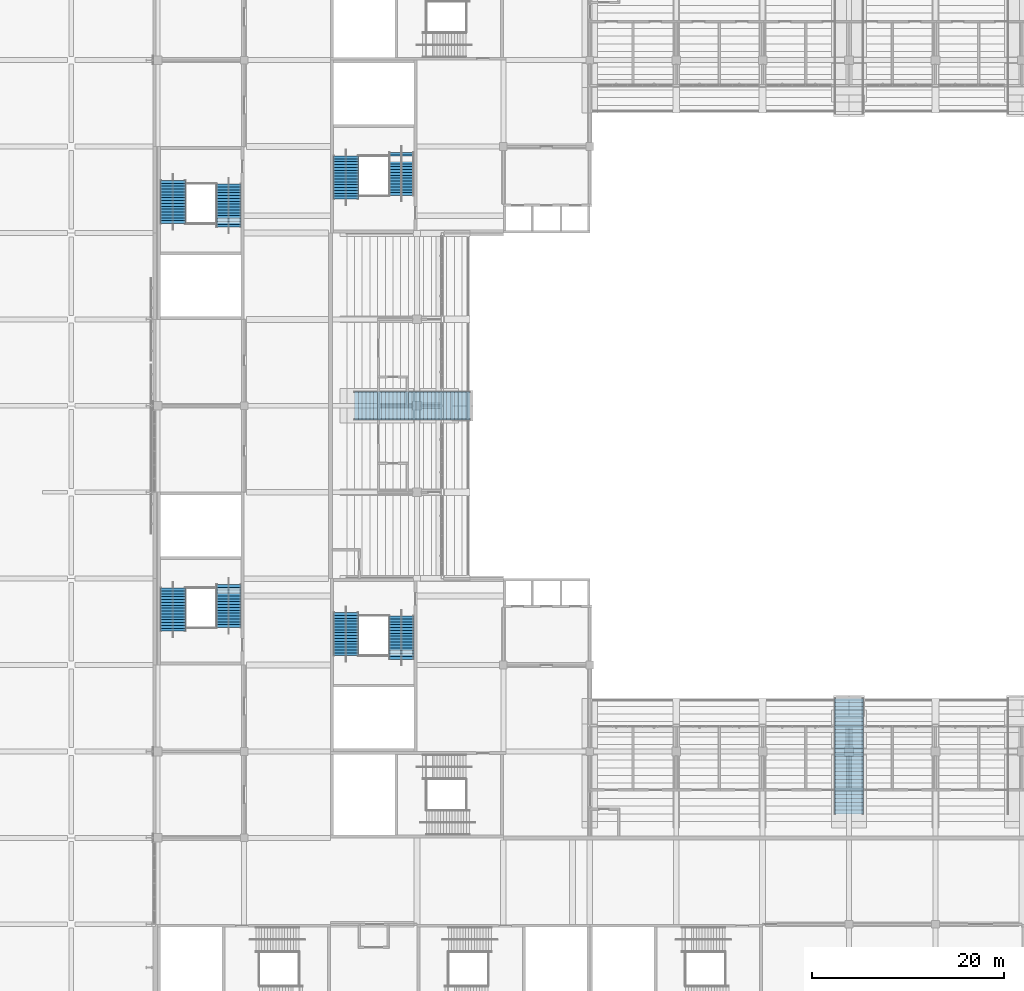
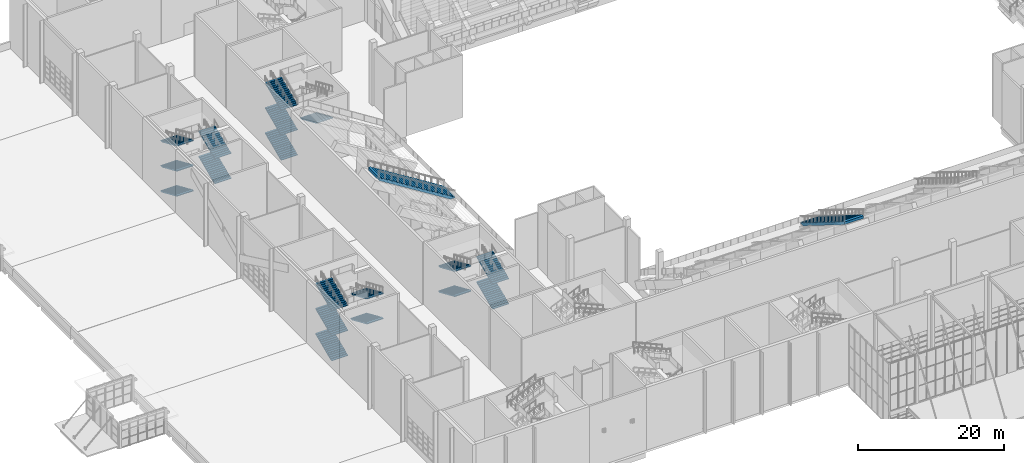
# One storey, part 97 of 182: 20 stair flights, 6 elements without a shape of their own.
"""IFC4 building model written with IfcOpenShell, lengths in metres."""

from ifc_helpers import new_model, si_unit, direction, frame, origin, place, context, subcontext, project, spatial, polyline, outline, extrude, material, type_object, element, aggregate, save


model = new_model("IFC4")

# Units and contexts
model_context = context("Model", 3, precision=1e-05, world=origin(), true_north=direction((0.0, 1.0)))
body_context = subcontext(model_context, "Body", "Model", "MODEL_VIEW")
ifc_project = project(units=[si_unit("LENGTHUNIT", "METRE"), si_unit("AREAUNIT", "SQUARE_METRE"), si_unit("VOLUMEUNIT", "CUBIC_METRE"), si_unit("PLANEANGLEUNIT", "RADIAN"), si_unit("MASSUNIT", "GRAM", prefix="KILO")], contexts=[model_context])

# Site, building, storey
site_placement = place(None, origin())
site = spatial("IfcSite", under=ifc_project, at=site_placement, CompositionType="ELEMENT")
building_placement = place(site_placement, origin())
building = spatial("IfcBuilding", under=site, at=building_placement, Name="Silverbay Arena", CompositionType="ELEMENT")
storey_placement = place(building_placement, frame((0.0, 0.0, 11.5)))
storey = spatial("IfcBuildingStorey", under=building, at=storey_placement, Name="L02", CompositionType="ELEMENT", Elevation=11.5)

# Stair, stair flights
ifc_material_1 = material(Name="Concrete Grade C45", Category="concrete")
stair_type_1 = type_object("IfcStairType", Name="Stair 2600 wide 80 risers 131.2 x 300", PredefinedType="HALF_TURN_STAIR", material=ifc_material_1)
stair_1_placement = place(storey_placement, origin())
stair_1 = element("IfcStair", 1, at=stair_1_placement, inside=storey, type_object=stair_type_1, Name="Stair ST-W1 L02 to L03", PredefinedType="HALF_TURN_STAIR")
ifc_material_2 = material(Name="Concrete Grade C45", Category="concrete")
stair_flight_type_1 = type_object("IfcStairFlightType", Name="Stair flight 2600 wide 16 risers 131.2 x 300", PredefinedType="STRAIGHT", material=ifc_material_2)
stair_flight_1_placement = place(storey_placement, frame((55.60009765625, 57.52587890625, 0.0), z_axis=(0.0, 0.0, 1.0), x_axis=(0.0, 1.0, 0.0)))
stair_flight_1 = element("IfcStairFlight", 2, at=stair_flight_1_placement, type_object=stair_flight_type_1, Name="Stair ST-W1 L02 to L03 flight 1", NumberOfRisers=16, NumberOfTreads=15, PredefinedType="STRAIGHT", RiserHeight=0.13125, TreadLength=0.3, context=body_context, shape_type="SweptSolid", body=[
    extrude(outline(polyline([(0.0, 0.0), (0.0, 0.13134765625), (0.300048828125, 0.13134765625), (0.300048828125, 0.262451171875), (0.60009765625, 0.262451171875), (0.60009765625, 0.393798828125), (0.89990234375, 0.393798828125), (0.89990234375, 0.52490234375), (1.199951171875, 0.52490234375), (1.199951171875, 0.65625), (1.5, 0.65625), (1.5, 0.78759765625), (1.800048828125, 0.78759765625), (1.800048828125, 0.918701171875), (2.10009765625, 0.918701171875), (2.10009765625, 1.050048828125), (2.39990234375, 1.050048828125), (2.39990234375, 1.18115234375), (2.699951171875, 1.18115234375), (2.699951171875, 1.3125), (3.0, 1.3125), (3.0, 1.44384765625), (3.300048828125, 1.44384765625), (3.300048828125, 1.574951171875), (3.60009765625, 1.574951171875), (3.60009765625, 1.706298828125), (3.89990234375, 1.706298828125), (3.89990234375, 1.83740234375), (4.199951171875, 1.83740234375), (4.199951171875, 1.96875), (4.5, 1.96875), (4.5, 1.80517578125), (0.3740234375, 0.0), (0.0, 0.0)])), frame((0.0, 1.300048828125, 0.0), z_axis=(0.0, -1.0, 0.0), x_axis=(1.0, 0.0, 0.0)), (0.0, 0.0, 1.0), 2.60009765625),
])
stair_flight_2_placement = place(storey_placement, frame((61.39990234375, 62.39990234375, 2.10009765625), z_axis=(0.0, 0.0, 1.0), x_axis=(0.0, -1.0, 0.0)))
stair_flight_2 = element("IfcStairFlight", 3, at=stair_flight_2_placement, type_object=stair_flight_type_1, Name="Stair ST-W1 L02 to L03 flight 2", NumberOfRisers=16, NumberOfTreads=15, PredefinedType="STRAIGHT", RiserHeight=0.13125, TreadLength=0.3, context=body_context, shape_type="SweptSolid", body=[
    extrude(outline(polyline([(0.0, 0.0), (0.0, 0.13134765625), (0.300048828125, 0.13134765625), (0.300048828125, 0.262451171875), (0.60009765625, 0.262451171875), (0.60009765625, 0.393798828125), (0.89990234375, 0.393798828125), (0.89990234375, 0.52490234375), (1.199951171875, 0.52490234375), (1.199951171875, 0.65625), (1.5, 0.65625), (1.5, 0.78759765625), (1.800048828125, 0.78759765625), (1.800048828125, 0.918701171875), (2.10009765625, 0.918701171875), (2.10009765625, 1.050048828125), (2.39990234375, 1.050048828125), (2.39990234375, 1.18115234375), (2.699951171875, 1.18115234375), (2.699951171875, 1.3125), (3.0, 1.3125), (3.0, 1.44384765625), (3.300048828125, 1.44384765625), (3.300048828125, 1.574951171875), (3.60009765625, 1.574951171875), (3.60009765625, 1.706298828125), (3.89990234375, 1.706298828125), (3.89990234375, 1.83740234375), (4.199951171875, 1.83740234375), (4.199951171875, 1.96875), (4.5, 1.96875), (4.5, 1.80517578125), (0.3740234375, 0.0), (0.0, 0.0)])), frame((0.0, 1.300048828125, 0.0), z_axis=(0.0, -1.0, 0.0), x_axis=(1.0, 0.0, 0.0)), (0.0, 0.0, 1.0), 2.60009765625),
])
stair_flight_3_placement = place(storey_placement, frame((55.60009765625, 57.52587890625, 4.199951171875), z_axis=(0.0, 0.0, 1.0), x_axis=(0.0, 1.0, 0.0)))
stair_flight_3 = element("IfcStairFlight", 4, at=stair_flight_3_placement, type_object=stair_flight_type_1, Name="Stair ST-W1 L02 to L03 flight 3", NumberOfRisers=16, NumberOfTreads=15, PredefinedType="STRAIGHT", RiserHeight=0.13125, TreadLength=0.3, context=body_context, shape_type="SweptSolid", body=[
    extrude(outline(polyline([(0.0, 0.0), (0.0, 0.13134765625), (0.300048828125, 0.13134765625), (0.300048828125, 0.262451171875), (0.60009765625, 0.262451171875), (0.60009765625, 0.393798828125), (0.89990234375, 0.393798828125), (0.89990234375, 0.52490234375), (1.199951171875, 0.52490234375), (1.199951171875, 0.65625), (1.5, 0.65625), (1.5, 0.78759765625), (1.800048828125, 0.78759765625), (1.800048828125, 0.918701171875), (2.10009765625, 0.918701171875), (2.10009765625, 1.050048828125), (2.39990234375, 1.050048828125), (2.39990234375, 1.18115234375), (2.699951171875, 1.18115234375), (2.699951171875, 1.3125), (3.0, 1.3125), (3.0, 1.44384765625), (3.300048828125, 1.44384765625), (3.300048828125, 1.574951171875), (3.60009765625, 1.574951171875), (3.60009765625, 1.706298828125), (3.89990234375, 1.706298828125), (3.89990234375, 1.83740234375), (4.199951171875, 1.83740234375), (4.199951171875, 1.96875), (4.5, 1.96875), (4.5, 1.80517578125), (0.3740234375, 0.0), (0.0, 0.0)])), frame((0.0, 1.300048828125, 0.0), z_axis=(0.0, -1.0, 0.0), x_axis=(1.0, 0.0, 0.0)), (0.0, 0.0, 1.0), 2.60009765625),
])
stair_flight_4_placement = place(storey_placement, frame((61.39990234375, 62.39990234375, 6.300048828125), z_axis=(0.0, 0.0, 1.0), x_axis=(0.0, -1.0, 0.0)))
stair_flight_4 = element("IfcStairFlight", 5, at=stair_flight_4_placement, type_object=stair_flight_type_1, Name="Stair ST-W1 L02 to L03 flight 4", NumberOfRisers=16, NumberOfTreads=15, PredefinedType="STRAIGHT", RiserHeight=0.13125, TreadLength=0.3, context=body_context, shape_type="SweptSolid", body=[
    extrude(outline(polyline([(0.0, 0.0), (0.0, 0.13134765625), (0.300048828125, 0.13134765625), (0.300048828125, 0.262451171875), (0.60009765625, 0.262451171875), (0.60009765625, 0.393798828125), (0.89990234375, 0.393798828125), (0.89990234375, 0.52490234375), (1.199951171875, 0.52490234375), (1.199951171875, 0.65625), (1.5, 0.65625), (1.5, 0.78759765625), (1.800048828125, 0.78759765625), (1.800048828125, 0.918701171875), (2.10009765625, 0.918701171875), (2.10009765625, 1.050048828125), (2.39990234375, 1.050048828125), (2.39990234375, 1.18115234375), (2.699951171875, 1.18115234375), (2.699951171875, 1.3125), (3.0, 1.3125), (3.0, 1.44384765625), (3.300048828125, 1.44384765625), (3.300048828125, 1.574951171875), (3.60009765625, 1.574951171875), (3.60009765625, 1.706298828125), (3.89990234375, 1.706298828125), (3.89990234375, 1.83740234375), (4.199951171875, 1.83740234375), (4.199951171875, 1.96875), (4.5, 1.96875), (4.5, 1.80517578125), (0.3740234375, 0.0), (0.0, 0.0)])), frame((0.0, 1.300048828125, 0.0), z_axis=(0.0, -1.0, 0.0), x_axis=(1.0, 0.0, 0.0)), (0.0, 0.0, 1.0), 2.60009765625),
])
stair_flight_5_placement = place(storey_placement, frame((55.60009765625, 57.52587890625, 8.39990234375), z_axis=(0.0, 0.0, 1.0), x_axis=(0.0, 1.0, 0.0)))
stair_flight_5 = element("IfcStairFlight", 6, at=stair_flight_5_placement, type_object=stair_flight_type_1, Name="Stair ST-W1 L02 to L03 flight 5", NumberOfRisers=16, NumberOfTreads=15, PredefinedType="STRAIGHT", RiserHeight=0.13125, TreadLength=0.3, context=body_context, shape_type="SweptSolid", body=[
    extrude(outline(polyline([(0.0, 0.0), (0.0, 0.13134765625), (0.300048828125, 0.13134765625), (0.300048828125, 0.262451171875), (0.60009765625, 0.262451171875), (0.60009765625, 0.393798828125), (0.89990234375, 0.393798828125), (0.89990234375, 0.52490234375), (1.199951171875, 0.52490234375), (1.199951171875, 0.65625), (1.5, 0.65625), (1.5, 0.78759765625), (1.800048828125, 0.78759765625), (1.800048828125, 0.918701171875), (2.10009765625, 0.918701171875), (2.10009765625, 1.050048828125), (2.39990234375, 1.050048828125), (2.39990234375, 1.18115234375), (2.699951171875, 1.18115234375), (2.699951171875, 1.3125), (3.0, 1.3125), (3.0, 1.44384765625), (3.300048828125, 1.44384765625), (3.300048828125, 1.574951171875), (3.60009765625, 1.574951171875), (3.60009765625, 1.706298828125), (3.89990234375, 1.706298828125), (3.89990234375, 1.83740234375), (4.199951171875, 1.83740234375), (4.199951171875, 1.96875), (4.5, 1.96875), (4.5, 1.80517578125), (0.3740234375, 0.0), (0.0, 0.0)])), frame((0.0, 1.300048828125, 0.0), z_axis=(0.0, -1.0, 0.0), x_axis=(1.0, 0.0, 0.0)), (0.0, 0.0, 1.0), 2.60009765625),
])
aggregate(stair_1, [stair_flight_1, stair_flight_2, stair_flight_3, stair_flight_4, stair_flight_5])

stair_2_placement = place(storey_placement, origin())
stair_2 = element("IfcStair", 7, at=stair_2_placement, inside=storey, type_object=stair_type_1, Name="Stair ST-W2 L02 to L03", PredefinedType="HALF_TURN_STAIR")
stair_flight_6_placement = place(storey_placement, frame((55.60009765625, 104.47412109375, 0.0), z_axis=(0.0, 0.0, 1.0), x_axis=(0.0, -1.0, 0.0)))
stair_flight_6 = element("IfcStairFlight", 8, at=stair_flight_6_placement, type_object=stair_flight_type_1, Name="Stair ST-W2 L02 to L03 flight 1", NumberOfRisers=16, NumberOfTreads=15, PredefinedType="STRAIGHT", RiserHeight=0.13125, TreadLength=0.3, context=body_context, shape_type="SweptSolid", body=[
    extrude(outline(polyline([(0.0, 0.0), (0.0, 0.13134765625), (0.300048828125, 0.13134765625), (0.300048828125, 0.262451171875), (0.60009765625, 0.262451171875), (0.60009765625, 0.393798828125), (0.89990234375, 0.393798828125), (0.89990234375, 0.52490234375), (1.199951171875, 0.52490234375), (1.199951171875, 0.65625), (1.5, 0.65625), (1.5, 0.78759765625), (1.800048828125, 0.78759765625), (1.800048828125, 0.918701171875), (2.10009765625, 0.918701171875), (2.10009765625, 1.050048828125), (2.39990234375, 1.050048828125), (2.39990234375, 1.18115234375), (2.699951171875, 1.18115234375), (2.699951171875, 1.3125), (3.0, 1.3125), (3.0, 1.44384765625), (3.300048828125, 1.44384765625), (3.300048828125, 1.574951171875), (3.60009765625, 1.574951171875), (3.60009765625, 1.706298828125), (3.89990234375, 1.706298828125), (3.89990234375, 1.83740234375), (4.199951171875, 1.83740234375), (4.199951171875, 1.96875), (4.5, 1.96875), (4.5, 1.80517578125), (0.3740234375, 0.0), (0.0, 0.0)])), frame((0.0, 1.300048828125, 0.0), z_axis=(0.0, -1.0, 0.0), x_axis=(1.0, 0.0, 0.0)), (0.0, 0.0, 1.0), 2.60009765625),
])
stair_flight_7_placement = place(storey_placement, frame((61.39990234375, 99.60009765625, 2.10009765625), z_axis=(0.0, 0.0, 1.0), x_axis=(0.0, 1.0, 0.0)))
stair_flight_7 = element("IfcStairFlight", 9, at=stair_flight_7_placement, type_object=stair_flight_type_1, Name="Stair ST-W2 L02 to L03 flight 2", NumberOfRisers=16, NumberOfTreads=15, PredefinedType="STRAIGHT", RiserHeight=0.13125, TreadLength=0.3, context=body_context, shape_type="SweptSolid", body=[
    extrude(outline(polyline([(0.0, 0.0), (0.0, 0.13134765625), (0.300048828125, 0.13134765625), (0.300048828125, 0.262451171875), (0.60009765625, 0.262451171875), (0.60009765625, 0.393798828125), (0.89990234375, 0.393798828125), (0.89990234375, 0.52490234375), (1.199951171875, 0.52490234375), (1.199951171875, 0.65625), (1.5, 0.65625), (1.5, 0.78759765625), (1.800048828125, 0.78759765625), (1.800048828125, 0.918701171875), (2.10009765625, 0.918701171875), (2.10009765625, 1.050048828125), (2.39990234375, 1.050048828125), (2.39990234375, 1.18115234375), (2.699951171875, 1.18115234375), (2.699951171875, 1.3125), (3.0, 1.3125), (3.0, 1.44384765625), (3.300048828125, 1.44384765625), (3.300048828125, 1.574951171875), (3.60009765625, 1.574951171875), (3.60009765625, 1.706298828125), (3.89990234375, 1.706298828125), (3.89990234375, 1.83740234375), (4.199951171875, 1.83740234375), (4.199951171875, 1.96875), (4.5, 1.96875), (4.5, 1.80517578125), (0.3740234375, 0.0), (0.0, 0.0)])), frame((0.0, 1.300048828125, 0.0), z_axis=(0.0, -1.0, 0.0), x_axis=(1.0, 0.0, 0.0)), (0.0, 0.0, 1.0), 2.60009765625),
])
stair_flight_8_placement = place(storey_placement, frame((55.60009765625, 104.47412109375, 4.199951171875), z_axis=(0.0, 0.0, 1.0), x_axis=(0.0, -1.0, 0.0)))
stair_flight_8 = element("IfcStairFlight", 10, at=stair_flight_8_placement, type_object=stair_flight_type_1, Name="Stair ST-W2 L02 to L03 flight 3", NumberOfRisers=16, NumberOfTreads=15, PredefinedType="STRAIGHT", RiserHeight=0.13125, TreadLength=0.3, context=body_context, shape_type="SweptSolid", body=[
    extrude(outline(polyline([(0.0, 0.0), (0.0, 0.13134765625), (0.300048828125, 0.13134765625), (0.300048828125, 0.262451171875), (0.60009765625, 0.262451171875), (0.60009765625, 0.393798828125), (0.89990234375, 0.393798828125), (0.89990234375, 0.52490234375), (1.199951171875, 0.52490234375), (1.199951171875, 0.65625), (1.5, 0.65625), (1.5, 0.78759765625), (1.800048828125, 0.78759765625), (1.800048828125, 0.918701171875), (2.10009765625, 0.918701171875), (2.10009765625, 1.050048828125), (2.39990234375, 1.050048828125), (2.39990234375, 1.18115234375), (2.699951171875, 1.18115234375), (2.699951171875, 1.3125), (3.0, 1.3125), (3.0, 1.44384765625), (3.300048828125, 1.44384765625), (3.300048828125, 1.574951171875), (3.60009765625, 1.574951171875), (3.60009765625, 1.706298828125), (3.89990234375, 1.706298828125), (3.89990234375, 1.83740234375), (4.199951171875, 1.83740234375), (4.199951171875, 1.96875), (4.5, 1.96875), (4.5, 1.80517578125), (0.3740234375, 0.0), (0.0, 0.0)])), frame((0.0, 1.300048828125, 0.0), z_axis=(0.0, -1.0, 0.0), x_axis=(1.0, 0.0, 0.0)), (0.0, 0.0, 1.0), 2.60009765625),
])
stair_flight_9_placement = place(storey_placement, frame((61.39990234375, 99.60009765625, 6.300048828125), z_axis=(0.0, 0.0, 1.0), x_axis=(0.0, 1.0, 0.0)))
stair_flight_9 = element("IfcStairFlight", 11, at=stair_flight_9_placement, type_object=stair_flight_type_1, Name="Stair ST-W2 L02 to L03 flight 4", NumberOfRisers=16, NumberOfTreads=15, PredefinedType="STRAIGHT", RiserHeight=0.13125, TreadLength=0.3, context=body_context, shape_type="SweptSolid", body=[
    extrude(outline(polyline([(0.0, 0.0), (0.0, 0.13134765625), (0.300048828125, 0.13134765625), (0.300048828125, 0.262451171875), (0.60009765625, 0.262451171875), (0.60009765625, 0.393798828125), (0.89990234375, 0.393798828125), (0.89990234375, 0.52490234375), (1.199951171875, 0.52490234375), (1.199951171875, 0.65625), (1.5, 0.65625), (1.5, 0.78759765625), (1.800048828125, 0.78759765625), (1.800048828125, 0.918701171875), (2.10009765625, 0.918701171875), (2.10009765625, 1.050048828125), (2.39990234375, 1.050048828125), (2.39990234375, 1.18115234375), (2.699951171875, 1.18115234375), (2.699951171875, 1.3125), (3.0, 1.3125), (3.0, 1.44384765625), (3.300048828125, 1.44384765625), (3.300048828125, 1.574951171875), (3.60009765625, 1.574951171875), (3.60009765625, 1.706298828125), (3.89990234375, 1.706298828125), (3.89990234375, 1.83740234375), (4.199951171875, 1.83740234375), (4.199951171875, 1.96875), (4.5, 1.96875), (4.5, 1.80517578125), (0.3740234375, 0.0), (0.0, 0.0)])), frame((0.0, 1.300048828125, 0.0), z_axis=(0.0, -1.0, 0.0), x_axis=(1.0, 0.0, 0.0)), (0.0, 0.0, 1.0), 2.60009765625),
])
stair_flight_10_placement = place(storey_placement, frame((55.60009765625, 104.47412109375, 8.39990234375), z_axis=(0.0, 0.0, 1.0), x_axis=(0.0, -1.0, 0.0)))
stair_flight_10 = element("IfcStairFlight", 12, at=stair_flight_10_placement, type_object=stair_flight_type_1, Name="Stair ST-W2 L02 to L03 flight 5", NumberOfRisers=16, NumberOfTreads=15, PredefinedType="STRAIGHT", RiserHeight=0.13125, TreadLength=0.3, context=body_context, shape_type="SweptSolid", body=[
    extrude(outline(polyline([(0.0, 0.0), (0.0, 0.13134765625), (0.300048828125, 0.13134765625), (0.300048828125, 0.262451171875), (0.60009765625, 0.262451171875), (0.60009765625, 0.393798828125), (0.89990234375, 0.393798828125), (0.89990234375, 0.52490234375), (1.199951171875, 0.52490234375), (1.199951171875, 0.65625), (1.5, 0.65625), (1.5, 0.78759765625), (1.800048828125, 0.78759765625), (1.800048828125, 0.918701171875), (2.10009765625, 0.918701171875), (2.10009765625, 1.050048828125), (2.39990234375, 1.050048828125), (2.39990234375, 1.18115234375), (2.699951171875, 1.18115234375), (2.699951171875, 1.3125), (3.0, 1.3125), (3.0, 1.44384765625), (3.300048828125, 1.44384765625), (3.300048828125, 1.574951171875), (3.60009765625, 1.574951171875), (3.60009765625, 1.706298828125), (3.89990234375, 1.706298828125), (3.89990234375, 1.83740234375), (4.199951171875, 1.83740234375), (4.199951171875, 1.96875), (4.5, 1.96875), (4.5, 1.80517578125), (0.3740234375, 0.0), (0.0, 0.0)])), frame((0.0, 1.300048828125, 0.0), z_axis=(0.0, -1.0, 0.0), x_axis=(1.0, 0.0, 0.0)), (0.0, 0.0, 1.0), 2.60009765625),
])
aggregate(stair_2, [stair_flight_6, stair_flight_7, stair_flight_8, stair_flight_9, stair_flight_10])

stair_3_placement = place(storey_placement, origin())
stair_3 = element("IfcStair", 13, at=stair_3_placement, inside=storey, type_object=stair_type_1, Name="Stair ST-SW2 L02 to L03", PredefinedType="HALF_TURN_STAIR")
stair_flight_11_placement = place(storey_placement, frame((79.39990234375, 54.60009765625, 2.10009765625), z_axis=(0.0, 0.0, 1.0), x_axis=(0.0, 1.0, 0.0)))
stair_flight_11 = element("IfcStairFlight", 14, at=stair_flight_11_placement, type_object=stair_flight_type_1, Name="Stair ST-SW2 L02 to L03 flight 2", NumberOfRisers=16, NumberOfTreads=15, PredefinedType="STRAIGHT", RiserHeight=0.13125, TreadLength=0.3, context=body_context, shape_type="SweptSolid", body=[
    extrude(outline(polyline([(0.0, 0.0), (0.0, 0.13134765625), (0.300048828125, 0.13134765625), (0.300048828125, 0.262451171875), (0.60009765625, 0.262451171875), (0.60009765625, 0.393798828125), (0.89990234375, 0.393798828125), (0.89990234375, 0.52490234375), (1.199951171875, 0.52490234375), (1.199951171875, 0.65625), (1.5, 0.65625), (1.5, 0.78759765625), (1.800048828125, 0.78759765625), (1.800048828125, 0.918701171875), (2.10009765625, 0.918701171875), (2.10009765625, 1.050048828125), (2.39990234375, 1.050048828125), (2.39990234375, 1.18115234375), (2.699951171875, 1.18115234375), (2.699951171875, 1.3125), (3.0, 1.3125), (3.0, 1.44384765625), (3.300048828125, 1.44384765625), (3.300048828125, 1.574951171875), (3.60009765625, 1.574951171875), (3.60009765625, 1.706298828125), (3.89990234375, 1.706298828125), (3.89990234375, 1.83740234375), (4.199951171875, 1.83740234375), (4.199951171875, 1.96875), (4.5, 1.96875), (4.5, 1.80517578125), (0.3740234375, 0.0), (0.0, 0.0)])), frame((0.0, 1.300048828125, 0.0), z_axis=(0.0, -1.0, 0.0), x_axis=(1.0, 0.0, 0.0)), (0.0, 0.0, 1.0), 2.60009765625),
])
stair_flight_12_placement = place(storey_placement, frame((73.60009765625, 59.47412109375, 4.199951171875), z_axis=(0.0, 0.0, 1.0), x_axis=(0.0, -1.0, 0.0)))
stair_flight_12 = element("IfcStairFlight", 15, at=stair_flight_12_placement, type_object=stair_flight_type_1, Name="Stair ST-SW2 L02 to L03 flight 3", NumberOfRisers=16, NumberOfTreads=15, PredefinedType="STRAIGHT", RiserHeight=0.13125, TreadLength=0.3, context=body_context, shape_type="SweptSolid", body=[
    extrude(outline(polyline([(0.0, 0.0), (0.0, 0.13134765625), (0.300048828125, 0.13134765625), (0.300048828125, 0.262451171875), (0.60009765625, 0.262451171875), (0.60009765625, 0.393798828125), (0.89990234375, 0.393798828125), (0.89990234375, 0.52490234375), (1.199951171875, 0.52490234375), (1.199951171875, 0.65625), (1.5, 0.65625), (1.5, 0.78759765625), (1.800048828125, 0.78759765625), (1.800048828125, 0.918701171875), (2.10009765625, 0.918701171875), (2.10009765625, 1.050048828125), (2.39990234375, 1.050048828125), (2.39990234375, 1.18115234375), (2.699951171875, 1.18115234375), (2.699951171875, 1.3125), (3.0, 1.3125), (3.0, 1.44384765625), (3.300048828125, 1.44384765625), (3.300048828125, 1.574951171875), (3.60009765625, 1.574951171875), (3.60009765625, 1.706298828125), (3.89990234375, 1.706298828125), (3.89990234375, 1.83740234375), (4.199951171875, 1.83740234375), (4.199951171875, 1.96875), (4.5, 1.96875), (4.5, 1.80517578125), (0.3740234375, 0.0), (0.0, 0.0)])), frame((0.0, 1.300048828125, 0.0), z_axis=(0.0, -1.0, 0.0), x_axis=(1.0, 0.0, 0.0)), (0.0, 0.0, 1.0), 2.60009765625),
])
stair_flight_13_placement = place(storey_placement, frame((79.39990234375, 54.60009765625, 6.300048828125), z_axis=(0.0, 0.0, 1.0), x_axis=(0.0, 1.0, 0.0)))
stair_flight_13 = element("IfcStairFlight", 16, at=stair_flight_13_placement, type_object=stair_flight_type_1, Name="Stair ST-SW2 L02 to L03 flight 4", NumberOfRisers=16, NumberOfTreads=15, PredefinedType="STRAIGHT", RiserHeight=0.13125, TreadLength=0.3, context=body_context, shape_type="SweptSolid", body=[
    extrude(outline(polyline([(0.0, 0.0), (0.0, 0.13134765625), (0.300048828125, 0.13134765625), (0.300048828125, 0.262451171875), (0.60009765625, 0.262451171875), (0.60009765625, 0.393798828125), (0.89990234375, 0.393798828125), (0.89990234375, 0.52490234375), (1.199951171875, 0.52490234375), (1.199951171875, 0.65625), (1.5, 0.65625), (1.5, 0.78759765625), (1.800048828125, 0.78759765625), (1.800048828125, 0.918701171875), (2.10009765625, 0.918701171875), (2.10009765625, 1.050048828125), (2.39990234375, 1.050048828125), (2.39990234375, 1.18115234375), (2.699951171875, 1.18115234375), (2.699951171875, 1.3125), (3.0, 1.3125), (3.0, 1.44384765625), (3.300048828125, 1.44384765625), (3.300048828125, 1.574951171875), (3.60009765625, 1.574951171875), (3.60009765625, 1.706298828125), (3.89990234375, 1.706298828125), (3.89990234375, 1.83740234375), (4.199951171875, 1.83740234375), (4.199951171875, 1.96875), (4.5, 1.96875), (4.5, 1.80517578125), (0.3740234375, 0.0), (0.0, 0.0)])), frame((0.0, 1.300048828125, 0.0), z_axis=(0.0, -1.0, 0.0), x_axis=(1.0, 0.0, 0.0)), (0.0, 0.0, 1.0), 2.60009765625),
])
stair_flight_14_placement = place(storey_placement, frame((73.60009765625, 59.47412109375, 8.39990234375), z_axis=(0.0, 0.0, 1.0), x_axis=(0.0, -1.0, 0.0)))
stair_flight_14 = element("IfcStairFlight", 17, at=stair_flight_14_placement, type_object=stair_flight_type_1, Name="Stair ST-SW2 L02 to L03 flight 5", NumberOfRisers=16, NumberOfTreads=15, PredefinedType="STRAIGHT", RiserHeight=0.13125, TreadLength=0.3, context=body_context, shape_type="SweptSolid", body=[
    extrude(outline(polyline([(0.0, 0.0), (0.0, 0.13134765625), (0.300048828125, 0.13134765625), (0.300048828125, 0.262451171875), (0.60009765625, 0.262451171875), (0.60009765625, 0.393798828125), (0.89990234375, 0.393798828125), (0.89990234375, 0.52490234375), (1.199951171875, 0.52490234375), (1.199951171875, 0.65625), (1.5, 0.65625), (1.5, 0.78759765625), (1.800048828125, 0.78759765625), (1.800048828125, 0.918701171875), (2.10009765625, 0.918701171875), (2.10009765625, 1.050048828125), (2.39990234375, 1.050048828125), (2.39990234375, 1.18115234375), (2.699951171875, 1.18115234375), (2.699951171875, 1.3125), (3.0, 1.3125), (3.0, 1.44384765625), (3.300048828125, 1.44384765625), (3.300048828125, 1.574951171875), (3.60009765625, 1.574951171875), (3.60009765625, 1.706298828125), (3.89990234375, 1.706298828125), (3.89990234375, 1.83740234375), (4.199951171875, 1.83740234375), (4.199951171875, 1.96875), (4.5, 1.96875), (4.5, 1.80517578125), (0.3740234375, 0.0), (0.0, 0.0)])), frame((0.0, 1.300048828125, 0.0), z_axis=(0.0, -1.0, 0.0), x_axis=(1.0, 0.0, 0.0)), (0.0, 0.0, 1.0), 2.60009765625),
])
aggregate(stair_3, [stair_flight_11, stair_flight_12, stair_flight_13, stair_flight_14])

stair_4_placement = place(storey_placement, origin())
stair_4 = element("IfcStair", 18, at=stair_4_placement, inside=storey, type_object=stair_type_1, Name="Stair ST-NW2 L02 to L03", PredefinedType="HALF_TURN_STAIR")
stair_flight_15_placement = place(storey_placement, frame((73.60009765625, 102.52587890625, 0.0), z_axis=(0.0, 0.0, 1.0), x_axis=(0.0, 1.0, 0.0)))
stair_flight_15 = element("IfcStairFlight", 19, at=stair_flight_15_placement, type_object=stair_flight_type_1, Name="Stair ST-NW2 L02 to L03 flight 1", NumberOfRisers=16, NumberOfTreads=15, PredefinedType="STRAIGHT", RiserHeight=0.13125, TreadLength=0.3, context=body_context, shape_type="SweptSolid", body=[
    extrude(outline(polyline([(0.0, 0.0), (0.0, 0.13134765625), (0.300048828125, 0.13134765625), (0.300048828125, 0.262451171875), (0.60009765625, 0.262451171875), (0.60009765625, 0.393798828125), (0.89990234375, 0.393798828125), (0.89990234375, 0.52490234375), (1.199951171875, 0.52490234375), (1.199951171875, 0.65625), (1.5, 0.65625), (1.5, 0.78759765625), (1.800048828125, 0.78759765625), (1.800048828125, 0.918701171875), (2.10009765625, 0.918701171875), (2.10009765625, 1.050048828125), (2.39990234375, 1.050048828125), (2.39990234375, 1.18115234375), (2.699951171875, 1.18115234375), (2.699951171875, 1.3125), (3.0, 1.3125), (3.0, 1.44384765625), (3.300048828125, 1.44384765625), (3.300048828125, 1.574951171875), (3.60009765625, 1.574951171875), (3.60009765625, 1.706298828125), (3.89990234375, 1.706298828125), (3.89990234375, 1.83740234375), (4.199951171875, 1.83740234375), (4.199951171875, 1.96875), (4.5, 1.96875), (4.5, 1.80517578125), (0.3740234375, 0.0), (0.0, 0.0)])), frame((0.0, 1.300048828125, 0.0), z_axis=(0.0, -1.0, 0.0), x_axis=(1.0, 0.0, 0.0)), (0.0, 0.0, 1.0), 2.60009765625),
])
stair_flight_16_placement = place(storey_placement, frame((79.39990234375, 107.39990234375, 2.10009765625), z_axis=(0.0, 0.0, 1.0), x_axis=(0.0, -1.0, 0.0)))
stair_flight_16 = element("IfcStairFlight", 20, at=stair_flight_16_placement, type_object=stair_flight_type_1, Name="Stair ST-NW2 L02 to L03 flight 2", NumberOfRisers=16, NumberOfTreads=15, PredefinedType="STRAIGHT", RiserHeight=0.13125, TreadLength=0.3, context=body_context, shape_type="SweptSolid", body=[
    extrude(outline(polyline([(0.0, 0.0), (0.0, 0.13134765625), (0.300048828125, 0.13134765625), (0.300048828125, 0.262451171875), (0.60009765625, 0.262451171875), (0.60009765625, 0.393798828125), (0.89990234375, 0.393798828125), (0.89990234375, 0.52490234375), (1.199951171875, 0.52490234375), (1.199951171875, 0.65625), (1.5, 0.65625), (1.5, 0.78759765625), (1.800048828125, 0.78759765625), (1.800048828125, 0.918701171875), (2.10009765625, 0.918701171875), (2.10009765625, 1.050048828125), (2.39990234375, 1.050048828125), (2.39990234375, 1.18115234375), (2.699951171875, 1.18115234375), (2.699951171875, 1.3125), (3.0, 1.3125), (3.0, 1.44384765625), (3.300048828125, 1.44384765625), (3.300048828125, 1.574951171875), (3.60009765625, 1.574951171875), (3.60009765625, 1.706298828125), (3.89990234375, 1.706298828125), (3.89990234375, 1.83740234375), (4.199951171875, 1.83740234375), (4.199951171875, 1.96875), (4.5, 1.96875), (4.5, 1.80517578125), (0.3740234375, 0.0), (0.0, 0.0)])), frame((0.0, 1.300048828125, 0.0), z_axis=(0.0, -1.0, 0.0), x_axis=(1.0, 0.0, 0.0)), (0.0, 0.0, 1.0), 2.60009765625),
])
stair_flight_17_placement = place(storey_placement, frame((73.60009765625, 102.52587890625, 4.199951171875), z_axis=(0.0, 0.0, 1.0), x_axis=(0.0, 1.0, 0.0)))
stair_flight_17 = element("IfcStairFlight", 21, at=stair_flight_17_placement, type_object=stair_flight_type_1, Name="Stair ST-NW2 L02 to L03 flight 3", NumberOfRisers=16, NumberOfTreads=15, PredefinedType="STRAIGHT", RiserHeight=0.13125, TreadLength=0.3, context=body_context, shape_type="SweptSolid", body=[
    extrude(outline(polyline([(0.0, 0.0), (0.0, 0.13134765625), (0.300048828125, 0.13134765625), (0.300048828125, 0.262451171875), (0.60009765625, 0.262451171875), (0.60009765625, 0.393798828125), (0.89990234375, 0.393798828125), (0.89990234375, 0.52490234375), (1.199951171875, 0.52490234375), (1.199951171875, 0.65625), (1.5, 0.65625), (1.5, 0.78759765625), (1.800048828125, 0.78759765625), (1.800048828125, 0.918701171875), (2.10009765625, 0.918701171875), (2.10009765625, 1.050048828125), (2.39990234375, 1.050048828125), (2.39990234375, 1.18115234375), (2.699951171875, 1.18115234375), (2.699951171875, 1.3125), (3.0, 1.3125), (3.0, 1.44384765625), (3.300048828125, 1.44384765625), (3.300048828125, 1.574951171875), (3.60009765625, 1.574951171875), (3.60009765625, 1.706298828125), (3.89990234375, 1.706298828125), (3.89990234375, 1.83740234375), (4.199951171875, 1.83740234375), (4.199951171875, 1.96875), (4.5, 1.96875), (4.5, 1.80517578125), (0.3740234375, 0.0), (0.0, 0.0)])), frame((0.0, 1.300048828125, 0.0), z_axis=(0.0, -1.0, 0.0), x_axis=(1.0, 0.0, 0.0)), (0.0, 0.0, 1.0), 2.60009765625),
])
stair_flight_18_placement = place(storey_placement, frame((73.60009765625, 102.52587890625, 8.39990234375), z_axis=(0.0, 0.0, 1.0), x_axis=(0.0, 1.0, 0.0)))
stair_flight_18 = element("IfcStairFlight", 22, at=stair_flight_18_placement, type_object=stair_flight_type_1, Name="Stair ST-NW2 L02 to L03 flight 5", NumberOfRisers=16, NumberOfTreads=15, PredefinedType="STRAIGHT", RiserHeight=0.13125, TreadLength=0.3, context=body_context, shape_type="SweptSolid", body=[
    extrude(outline(polyline([(0.0, 0.0), (0.0, 0.13134765625), (0.300048828125, 0.13134765625), (0.300048828125, 0.262451171875), (0.60009765625, 0.262451171875), (0.60009765625, 0.393798828125), (0.89990234375, 0.393798828125), (0.89990234375, 0.52490234375), (1.199951171875, 0.52490234375), (1.199951171875, 0.65625), (1.5, 0.65625), (1.5, 0.78759765625), (1.800048828125, 0.78759765625), (1.800048828125, 0.918701171875), (2.10009765625, 0.918701171875), (2.10009765625, 1.050048828125), (2.39990234375, 1.050048828125), (2.39990234375, 1.18115234375), (2.699951171875, 1.18115234375), (2.699951171875, 1.3125), (3.0, 1.3125), (3.0, 1.44384765625), (3.300048828125, 1.44384765625), (3.300048828125, 1.574951171875), (3.60009765625, 1.574951171875), (3.60009765625, 1.706298828125), (3.89990234375, 1.706298828125), (3.89990234375, 1.83740234375), (4.199951171875, 1.83740234375), (4.199951171875, 1.96875), (4.5, 1.96875), (4.5, 1.80517578125), (0.3740234375, 0.0), (0.0, 0.0)])), frame((0.0, 1.300048828125, 0.0), z_axis=(0.0, -1.0, 0.0), x_axis=(1.0, 0.0, 0.0)), (0.0, 0.0, 1.0), 2.60009765625),
])
aggregate(stair_4, [stair_flight_15, stair_flight_16, stair_flight_17, stair_flight_18])

# Stair, stair flight
ifc_material_3 = material(Name="Concrete Grade C45", Category="concrete")
stair_type_2 = type_object("IfcStairType", Name="Vomitory stair 3000 wide 31 risers 250 x 400", PredefinedType="STRAIGHT_RUN_STAIR", material=ifc_material_3)
stair_5_placement = place(storey_placement, origin())
stair_5 = element("IfcStair", 23, at=stair_5_placement, inside=storey, type_object=stair_type_2, Name="Vomitory stair V03", PredefinedType="STRAIGHT_RUN_STAIR")
ifc_material_4 = material(Name="Concrete Grade C45", Category="concrete")
stair_flight_type_2 = type_object("IfcStairFlightType", Name="Vomitory stair flight 3000 wide 31 risers 250 x 400", PredefinedType="STRAIGHT", material=ifc_material_4)
stair_flight_19_placement = place(storey_placement, frame((126.0, 50.5, 2.75), z_axis=(0.0, 0.0, 1.0), x_axis=(0.0, -1.0, 0.0)))
stair_flight_19 = element("IfcStairFlight", 24, at=stair_flight_19_placement, type_object=stair_flight_type_2, Name="Vomitory stair V03 flight", NumberOfRisers=31, NumberOfTreads=30, PredefinedType="STRAIGHT", RiserHeight=0.25, TreadLength=0.4, context=body_context, shape_type="SweptSolid", body=[
    extrude(outline(polyline([(0.0, 0.0), (0.0, 0.25), (0.39990234375, 0.25), (0.39990234375, 0.5), (0.800048828125, 0.5), (0.800048828125, 0.75), (1.199951171875, 0.75), (1.199951171875, 1.0), (1.60009765625, 1.0), (1.60009765625, 1.25), (2.0, 1.25), (2.0, 1.5), (2.39990234375, 1.5), (2.39990234375, 1.75), (2.800048828125, 1.75), (2.800048828125, 2.0), (3.199951171875, 2.0), (3.199951171875, 2.25), (3.60009765625, 2.25), (3.60009765625, 2.5), (4.0, 2.5), (4.0, 2.75), (4.39990234375, 2.75), (4.39990234375, 3.0), (4.800048828125, 3.0), (4.800048828125, 3.25), (5.199951171875, 3.25), (5.199951171875, 3.5), (5.60009765625, 3.5), (5.60009765625, 3.75), (6.0, 3.75), (6.0, 4.0), (6.39990234375, 4.0), (6.39990234375, 4.25), (6.800048828125, 4.25), (6.800048828125, 4.5), (7.199951171875, 4.5), (7.199951171875, 4.75), (7.60009765625, 4.75), (7.60009765625, 5.0), (8.0, 5.0), (8.0, 5.25), (8.39990234375, 5.25), (8.39990234375, 5.5), (8.800048828125, 5.5), (8.800048828125, 5.75), (9.199951171875, 5.75), (9.199951171875, 6.0), (9.60009765625, 6.0), (9.60009765625, 6.25), (10.0, 6.25), (10.0, 6.5), (10.39990234375, 6.5), (10.39990234375, 6.75), (10.800048828125, 6.75), (10.800048828125, 7.0), (11.199951171875, 7.0), (11.199951171875, 7.25), (11.60009765625, 7.25), (11.60009765625, 7.5), (12.0, 7.5), (12.0, 7.06982421875), (0.688232421875, 0.0), (0.0, 0.0)])), frame((0.0, 1.5, 0.0), z_axis=(0.0, -1.0, 0.0), x_axis=(1.0, 0.0, 0.0)), (0.0, 0.0, 1.0), 3.0),
])
aggregate(stair_5, [stair_flight_19])

stair_6_placement = place(storey_placement, origin())
stair_6 = element("IfcStair", 25, at=stair_6_placement, inside=storey, type_object=stair_type_2, Name="Vomitory stair V10", PredefinedType="STRAIGHT_RUN_STAIR")
stair_flight_20_placement = place(storey_placement, frame((86.5, 81.0, 2.75), z_axis=(0.0, 0.0, 1.0), x_axis=(-1.0, 0.0, 0.0)))
stair_flight_20 = element("IfcStairFlight", 26, at=stair_flight_20_placement, type_object=stair_flight_type_2, Name="Vomitory stair V10 flight", NumberOfRisers=31, NumberOfTreads=30, PredefinedType="STRAIGHT", RiserHeight=0.25, TreadLength=0.4, context=body_context, shape_type="SweptSolid", body=[
    extrude(outline(polyline([(0.0, 0.0), (0.0, 0.25), (0.39990234375, 0.25), (0.39990234375, 0.5), (0.800048828125, 0.5), (0.800048828125, 0.75), (1.199951171875, 0.75), (1.199951171875, 1.0), (1.60009765625, 1.0), (1.60009765625, 1.25), (2.0, 1.25), (2.0, 1.5), (2.39990234375, 1.5), (2.39990234375, 1.75), (2.800048828125, 1.75), (2.800048828125, 2.0), (3.199951171875, 2.0), (3.199951171875, 2.25), (3.60009765625, 2.25), (3.60009765625, 2.5), (4.0, 2.5), (4.0, 2.75), (4.39990234375, 2.75), (4.39990234375, 3.0), (4.800048828125, 3.0), (4.800048828125, 3.25), (5.199951171875, 3.25), (5.199951171875, 3.5), (5.60009765625, 3.5), (5.60009765625, 3.75), (6.0, 3.75), (6.0, 4.0), (6.39990234375, 4.0), (6.39990234375, 4.25), (6.800048828125, 4.25), (6.800048828125, 4.5), (7.199951171875, 4.5), (7.199951171875, 4.75), (7.60009765625, 4.75), (7.60009765625, 5.0), (8.0, 5.0), (8.0, 5.25), (8.39990234375, 5.25), (8.39990234375, 5.5), (8.800048828125, 5.5), (8.800048828125, 5.75), (9.199951171875, 5.75), (9.199951171875, 6.0), (9.60009765625, 6.0), (9.60009765625, 6.25), (10.0, 6.25), (10.0, 6.5), (10.39990234375, 6.5), (10.39990234375, 6.75), (10.800048828125, 6.75), (10.800048828125, 7.0), (11.199951171875, 7.0), (11.199951171875, 7.25), (11.60009765625, 7.25), (11.60009765625, 7.5), (12.0, 7.5), (12.0, 7.06982421875), (0.688232421875, 0.0), (0.0, 0.0)])), frame((0.0, 1.5, 0.0), z_axis=(0.0, -1.0, 0.0), x_axis=(1.0, 0.0, 0.0)), (0.0, 0.0, 1.0), 3.0),
])
aggregate(stair_6, [stair_flight_20])

save(model, "model.ifc")
